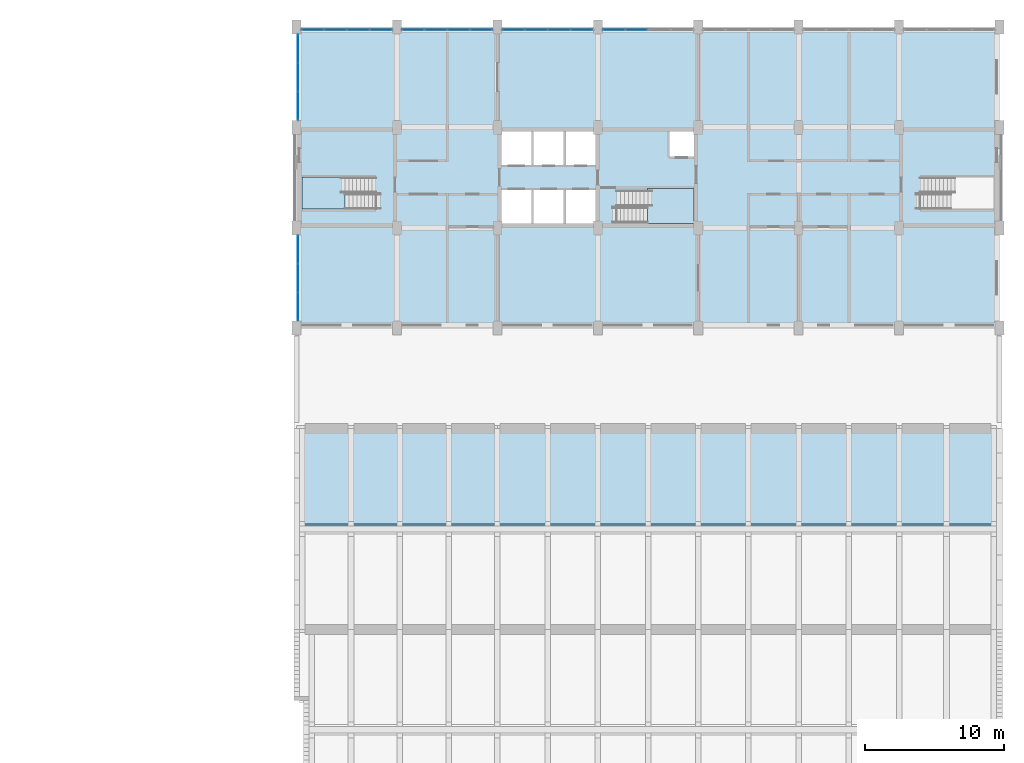
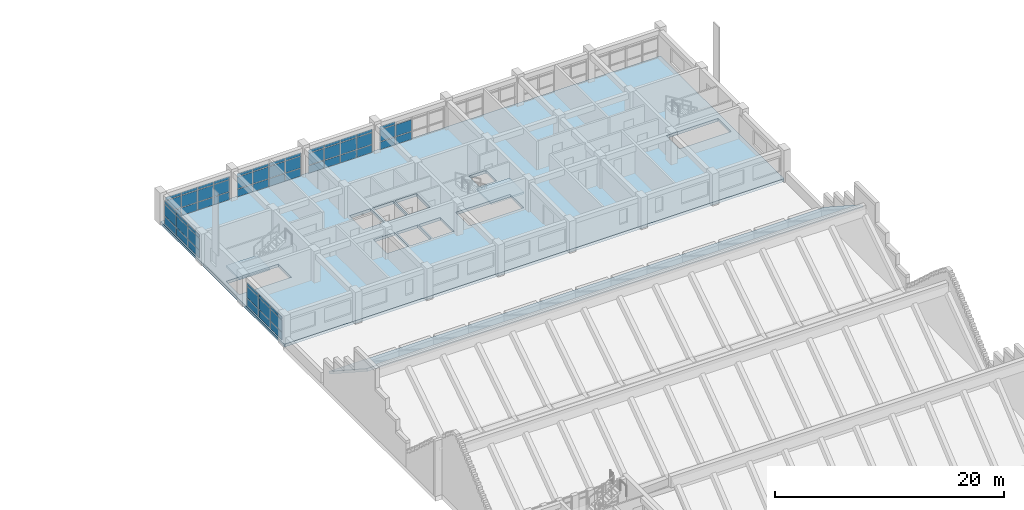
# One storey, part 20 of 31: 59 plates, 4 slabs, 8 elements without a shape of their own.
"""IFC4 building model written with IfcOpenShell, lengths in metres."""

from ifc_helpers import new_model, si_unit, direction, frame, origin, origin_2d, place, context, subcontext, project, spatial, polyline, rectangle, outline, extrude, material, layer, layer_set, type_object, element, aggregate, save


model = new_model("IFC4")

# Units and contexts
model_context = context("Model", 3, precision=1e-05, world=origin(), true_north=direction((0.0, 1.0)))
body_context = subcontext(model_context, "Body", "Model", "MODEL_VIEW")
ifc_project = project(units=[si_unit("LENGTHUNIT", "METRE"), si_unit("AREAUNIT", "SQUARE_METRE"), si_unit("VOLUMEUNIT", "CUBIC_METRE"), si_unit("PLANEANGLEUNIT", "RADIAN"), si_unit("MASSUNIT", "GRAM", prefix="KILO")], contexts=[model_context])

# Site, building, storey
site_placement = place(None, origin())
site = spatial("IfcSite", under=ifc_project, at=site_placement, CompositionType="ELEMENT")
building_placement = place(site_placement, origin())
building = spatial("IfcBuilding", under=site, at=building_placement, Name="Vermilion Court Aquatics Centre", CompositionType="ELEMENT")
storey_placement = place(building_placement, frame((0.0, 0.0, 16.5)))
storey = spatial("IfcBuildingStorey", under=building, at=storey_placement, Name="L03", CompositionType="ELEMENT", Elevation=16.5)

# Curtain wall, plates
ifc_material_1 = material(Name="Aluminium 6063-T5", Category="aluminium")
curtain_wall_type = type_object("IfcCurtainWallType", Name="North block glazed bay curtain wall 1800 module", PredefinedType="NOTDEFINED", material=ifc_material_1)
curtain_wall_1_placement = place(storey_placement, origin())
curtain_wall_1 = element("IfcCurtainWall", 1, at=curtain_wall_1_placement, inside=storey, type_object=curtain_wall_type, Name="North glazed bay 1 L03", PredefinedType="NOTDEFINED")
ifc_material_2 = material(Name="Glazing", Category="glass")
ifc_layer_1 = layer(ifc_material_2, 0.028076171875)
ifc_layer_set_1 = layer_set([ifc_layer_1], Name="North block curtain wall glazing panel 28")
plate_type = type_object("IfcPlateType", Name="North block curtain wall glazing panel 28", PredefinedType="CURTAIN_PANEL", material=ifc_layer_set_1)
plate_1_placement = place(storey_placement, frame((145.15869140625, 115.0, 0.06005859375), z_axis=(0.0, 0.0, 1.0), x_axis=(1.0, 0.0, 0.0)))
plate_1 = element("IfcPlate", 2, at=plate_1_placement, type_object=plate_type, Name="UCW1 panel 1.1", PredefinedType="CURTAIN_PANEL", context=body_context, shape_type="SweptSolid", body=[
    extrude(rectangle(XDim=1.547607421875, YDim=0.028076171875, at=origin_2d()), origin(), (0.0, 0.0, 1.0), 0.81005859375),
])
plate_2_placement = place(storey_placement, frame((145.15869140625, 115.0, 0.93017578125), z_axis=(0.0, 0.0, 1.0), x_axis=(1.0, 0.0, 0.0)))
plate_2 = element("IfcPlate", 3, at=plate_2_placement, type_object=plate_type, Name="UCW1 panel 1.2", PredefinedType="CURTAIN_PANEL", context=body_context, shape_type="SweptSolid", body=[
    extrude(rectangle(XDim=1.547607421875, YDim=0.028076171875, at=origin_2d()), origin(), (0.0, 0.0, 1.0), 1.239990234375),
])
plate_3_placement = place(storey_placement, frame((145.15869140625, 115.0, 2.22998046875), z_axis=(0.0, 0.0, 1.0), x_axis=(1.0, 0.0, 0.0)))
plate_3 = element("IfcPlate", 4, at=plate_3_placement, type_object=plate_type, Name="UCW1 panel 1.3", PredefinedType="CURTAIN_PANEL", context=body_context, shape_type="SweptSolid", body=[
    extrude(rectangle(XDim=1.547607421875, YDim=0.028076171875, at=origin_2d()), origin(), (0.0, 0.0, 1.0), 0.31005859375),
])
plate_4_placement = place(storey_placement, frame((146.78125, 115.0, 0.06005859375), z_axis=(0.0, 0.0, 1.0), x_axis=(1.0, 0.0, 0.0)))
plate_4 = element("IfcPlate", 5, at=plate_4_placement, type_object=plate_type, Name="UCW1 panel 2.1", PredefinedType="CURTAIN_PANEL", context=body_context, shape_type="SweptSolid", body=[
    extrude(rectangle(XDim=1.577392578125, YDim=0.028076171875, at=origin_2d()), origin(), (0.0, 0.0, 1.0), 0.81005859375),
])
plate_5_placement = place(storey_placement, frame((146.78125, 115.0, 0.93017578125), z_axis=(0.0, 0.0, 1.0), x_axis=(1.0, 0.0, 0.0)))
plate_5 = element("IfcPlate", 6, at=plate_5_placement, type_object=plate_type, Name="UCW1 panel 2.2", PredefinedType="CURTAIN_PANEL", context=body_context, shape_type="SweptSolid", body=[
    extrude(rectangle(XDim=1.577392578125, YDim=0.028076171875, at=origin_2d()), origin(), (0.0, 0.0, 1.0), 1.239990234375),
])
plate_6_placement = place(storey_placement, frame((146.78125, 115.0, 2.22998046875), z_axis=(0.0, 0.0, 1.0), x_axis=(1.0, 0.0, 0.0)))
plate_6 = element("IfcPlate", 7, at=plate_6_placement, type_object=plate_type, Name="UCW1 panel 2.3", PredefinedType="CURTAIN_PANEL", context=body_context, shape_type="SweptSolid", body=[
    extrude(rectangle(XDim=1.577392578125, YDim=0.028076171875, at=origin_2d()), origin(), (0.0, 0.0, 1.0), 0.31005859375),
])
plate_7_placement = place(storey_placement, frame((148.418701171875, 115.0, 0.06005859375), z_axis=(0.0, 0.0, 1.0), x_axis=(1.0, 0.0, 0.0)))
plate_7 = element("IfcPlate", 8, at=plate_7_placement, type_object=plate_type, Name="UCW1 panel 3.1", PredefinedType="CURTAIN_PANEL", context=body_context, shape_type="SweptSolid", body=[
    extrude(rectangle(XDim=1.577392578125, YDim=0.028076171875, at=origin_2d()), origin(), (0.0, 0.0, 1.0), 0.81005859375),
])
plate_8_placement = place(storey_placement, frame((148.418701171875, 115.0, 0.93017578125), z_axis=(0.0, 0.0, 1.0), x_axis=(1.0, 0.0, 0.0)))
plate_8 = element("IfcPlate", 9, at=plate_8_placement, type_object=plate_type, Name="UCW1 panel 3.2", PredefinedType="CURTAIN_PANEL", context=body_context, shape_type="SweptSolid", body=[
    extrude(rectangle(XDim=1.577392578125, YDim=0.028076171875, at=origin_2d()), origin(), (0.0, 0.0, 1.0), 1.239990234375),
])
plate_9_placement = place(storey_placement, frame((148.418701171875, 115.0, 2.22998046875), z_axis=(0.0, 0.0, 1.0), x_axis=(1.0, 0.0, 0.0)))
plate_9 = element("IfcPlate", 10, at=plate_9_placement, type_object=plate_type, Name="UCW1 panel 3.3", PredefinedType="CURTAIN_PANEL", context=body_context, shape_type="SweptSolid", body=[
    extrude(rectangle(XDim=1.577392578125, YDim=0.028076171875, at=origin_2d()), origin(), (0.0, 0.0, 1.0), 0.31005859375),
])
plate_10_placement = place(storey_placement, frame((150.041259765625, 115.0, 0.06005859375), z_axis=(0.0, 0.0, 1.0), x_axis=(1.0, 0.0, 0.0)))
plate_10 = element("IfcPlate", 11, at=plate_10_placement, type_object=plate_type, Name="UCW1 panel 4.1", PredefinedType="CURTAIN_PANEL", context=body_context, shape_type="SweptSolid", body=[
    extrude(rectangle(XDim=1.547607421875, YDim=0.028076171875, at=origin_2d()), origin(), (0.0, 0.0, 1.0), 0.81005859375),
])
plate_11_placement = place(storey_placement, frame((150.041259765625, 115.0, 0.93017578125), z_axis=(0.0, 0.0, 1.0), x_axis=(1.0, 0.0, 0.0)))
plate_11 = element("IfcPlate", 12, at=plate_11_placement, type_object=plate_type, Name="UCW1 panel 4.2", PredefinedType="CURTAIN_PANEL", context=body_context, shape_type="SweptSolid", body=[
    extrude(rectangle(XDim=1.547607421875, YDim=0.028076171875, at=origin_2d()), origin(), (0.0, 0.0, 1.0), 1.239990234375),
])
plate_12_placement = place(storey_placement, frame((150.041259765625, 115.0, 2.22998046875), z_axis=(0.0, 0.0, 1.0), x_axis=(1.0, 0.0, 0.0)))
plate_12 = element("IfcPlate", 13, at=plate_12_placement, type_object=plate_type, Name="UCW1 panel 4.3", PredefinedType="CURTAIN_PANEL", context=body_context, shape_type="SweptSolid", body=[
    extrude(rectangle(XDim=1.547607421875, YDim=0.028076171875, at=origin_2d()), origin(), (0.0, 0.0, 1.0), 0.31005859375),
])
aggregate(curtain_wall_1, [plate_1, plate_2, plate_3, plate_4, plate_5, plate_6, plate_7, plate_8, plate_9, plate_10, plate_11, plate_12])

curtain_wall_2_placement = place(storey_placement, origin())
curtain_wall_2 = element("IfcCurtainWall", 14, at=curtain_wall_2_placement, inside=storey, type_object=curtain_wall_type, Name="North glazed bay 2 L03", PredefinedType="NOTDEFINED")
plate_13_placement = place(storey_placement, frame((152.358642578125, 115.0, 0.06005859375), z_axis=(0.0, 0.0, 1.0), x_axis=(1.0, 0.0, 0.0)))
plate_13 = element("IfcPlate", 15, at=plate_13_placement, type_object=plate_type, Name="UCW1 panel 1.1", PredefinedType="CURTAIN_PANEL", context=body_context, shape_type="SweptSolid", body=[
    extrude(rectangle(XDim=1.547607421875, YDim=0.028076171875, at=origin_2d()), origin(), (0.0, 0.0, 1.0), 0.81005859375),
])
plate_14_placement = place(storey_placement, frame((152.358642578125, 115.0, 0.93017578125), z_axis=(0.0, 0.0, 1.0), x_axis=(1.0, 0.0, 0.0)))
plate_14 = element("IfcPlate", 16, at=plate_14_placement, type_object=plate_type, Name="UCW1 panel 1.2", PredefinedType="CURTAIN_PANEL", context=body_context, shape_type="SweptSolid", body=[
    extrude(rectangle(XDim=1.547607421875, YDim=0.028076171875, at=origin_2d()), origin(), (0.0, 0.0, 1.0), 1.239990234375),
])
plate_15_placement = place(storey_placement, frame((152.358642578125, 115.0, 2.22998046875), z_axis=(0.0, 0.0, 1.0), x_axis=(1.0, 0.0, 0.0)))
plate_15 = element("IfcPlate", 17, at=plate_15_placement, type_object=plate_type, Name="UCW1 panel 1.3", PredefinedType="CURTAIN_PANEL", context=body_context, shape_type="SweptSolid", body=[
    extrude(rectangle(XDim=1.547607421875, YDim=0.028076171875, at=origin_2d()), origin(), (0.0, 0.0, 1.0), 0.31005859375),
])
plate_16_placement = place(storey_placement, frame((153.981201171875, 115.0, 0.06005859375), z_axis=(0.0, 0.0, 1.0), x_axis=(1.0, 0.0, 0.0)))
plate_16 = element("IfcPlate", 18, at=plate_16_placement, type_object=plate_type, Name="UCW1 panel 2.1", PredefinedType="CURTAIN_PANEL", context=body_context, shape_type="SweptSolid", body=[
    extrude(rectangle(XDim=1.577392578125, YDim=0.028076171875, at=origin_2d()), origin(), (0.0, 0.0, 1.0), 0.81005859375),
])
plate_17_placement = place(storey_placement, frame((153.981201171875, 115.0, 0.93017578125), z_axis=(0.0, 0.0, 1.0), x_axis=(1.0, 0.0, 0.0)))
plate_17 = element("IfcPlate", 19, at=plate_17_placement, type_object=plate_type, Name="UCW1 panel 2.2", PredefinedType="CURTAIN_PANEL", context=body_context, shape_type="SweptSolid", body=[
    extrude(rectangle(XDim=1.577392578125, YDim=0.028076171875, at=origin_2d()), origin(), (0.0, 0.0, 1.0), 1.239990234375),
])
plate_18_placement = place(storey_placement, frame((153.981201171875, 115.0, 2.22998046875), z_axis=(0.0, 0.0, 1.0), x_axis=(1.0, 0.0, 0.0)))
plate_18 = element("IfcPlate", 20, at=plate_18_placement, type_object=plate_type, Name="UCW1 panel 2.3", PredefinedType="CURTAIN_PANEL", context=body_context, shape_type="SweptSolid", body=[
    extrude(rectangle(XDim=1.577392578125, YDim=0.028076171875, at=origin_2d()), origin(), (0.0, 0.0, 1.0), 0.31005859375),
])
plate_19_placement = place(storey_placement, frame((155.61865234375, 115.0, 0.06005859375), z_axis=(0.0, 0.0, 1.0), x_axis=(1.0, 0.0, 0.0)))
plate_19 = element("IfcPlate", 21, at=plate_19_placement, type_object=plate_type, Name="UCW1 panel 3.1", PredefinedType="CURTAIN_PANEL", context=body_context, shape_type="SweptSolid", body=[
    extrude(rectangle(XDim=1.577392578125, YDim=0.028076171875, at=origin_2d()), origin(), (0.0, 0.0, 1.0), 0.81005859375),
])
plate_20_placement = place(storey_placement, frame((155.61865234375, 115.0, 0.93017578125), z_axis=(0.0, 0.0, 1.0), x_axis=(1.0, 0.0, 0.0)))
plate_20 = element("IfcPlate", 22, at=plate_20_placement, type_object=plate_type, Name="UCW1 panel 3.2", PredefinedType="CURTAIN_PANEL", context=body_context, shape_type="SweptSolid", body=[
    extrude(rectangle(XDim=1.577392578125, YDim=0.028076171875, at=origin_2d()), origin(), (0.0, 0.0, 1.0), 1.239990234375),
])
plate_21_placement = place(storey_placement, frame((155.61865234375, 115.0, 2.22998046875), z_axis=(0.0, 0.0, 1.0), x_axis=(1.0, 0.0, 0.0)))
plate_21 = element("IfcPlate", 23, at=plate_21_placement, type_object=plate_type, Name="UCW1 panel 3.3", PredefinedType="CURTAIN_PANEL", context=body_context, shape_type="SweptSolid", body=[
    extrude(rectangle(XDim=1.577392578125, YDim=0.028076171875, at=origin_2d()), origin(), (0.0, 0.0, 1.0), 0.31005859375),
])
plate_22_placement = place(storey_placement, frame((157.2412109375, 115.0, 0.06005859375), z_axis=(0.0, 0.0, 1.0), x_axis=(1.0, 0.0, 0.0)))
plate_22 = element("IfcPlate", 24, at=plate_22_placement, type_object=plate_type, Name="UCW1 panel 4.1", PredefinedType="CURTAIN_PANEL", context=body_context, shape_type="SweptSolid", body=[
    extrude(rectangle(XDim=1.547607421875, YDim=0.028076171875, at=origin_2d()), origin(), (0.0, 0.0, 1.0), 0.81005859375),
])
plate_23_placement = place(storey_placement, frame((157.2412109375, 115.0, 0.93017578125), z_axis=(0.0, 0.0, 1.0), x_axis=(1.0, 0.0, 0.0)))
plate_23 = element("IfcPlate", 25, at=plate_23_placement, type_object=plate_type, Name="UCW1 panel 4.2", PredefinedType="CURTAIN_PANEL", context=body_context, shape_type="SweptSolid", body=[
    extrude(rectangle(XDim=1.547607421875, YDim=0.028076171875, at=origin_2d()), origin(), (0.0, 0.0, 1.0), 1.239990234375),
])
plate_24_placement = place(storey_placement, frame((157.2412109375, 115.0, 2.22998046875), z_axis=(0.0, 0.0, 1.0), x_axis=(1.0, 0.0, 0.0)))
plate_24 = element("IfcPlate", 26, at=plate_24_placement, type_object=plate_type, Name="UCW1 panel 4.3", PredefinedType="CURTAIN_PANEL", context=body_context, shape_type="SweptSolid", body=[
    extrude(rectangle(XDim=1.547607421875, YDim=0.028076171875, at=origin_2d()), origin(), (0.0, 0.0, 1.0), 0.31005859375),
])
aggregate(curtain_wall_2, [plate_13, plate_14, plate_15, plate_16, plate_17, plate_18, plate_19, plate_20, plate_21, plate_22, plate_23, plate_24])

curtain_wall_3_placement = place(storey_placement, origin())
curtain_wall_3 = element("IfcCurtainWall", 27, at=curtain_wall_3_placement, inside=storey, type_object=curtain_wall_type, Name="North glazed bay 3 L03", PredefinedType="NOTDEFINED")
plate_25_placement = place(storey_placement, frame((159.558837890625, 115.0, 0.06005859375), z_axis=(0.0, 0.0, 1.0), x_axis=(1.0, 0.0, 0.0)))
plate_25 = element("IfcPlate", 28, at=plate_25_placement, type_object=plate_type, Name="UCW1 panel 1.1", PredefinedType="CURTAIN_PANEL", context=body_context, shape_type="SweptSolid", body=[
    extrude(rectangle(XDim=1.547607421875, YDim=0.028076171875, at=origin_2d()), origin(), (0.0, 0.0, 1.0), 0.81005859375),
])
plate_26_placement = place(storey_placement, frame((159.558837890625, 115.0, 0.93017578125), z_axis=(0.0, 0.0, 1.0), x_axis=(1.0, 0.0, 0.0)))
plate_26 = element("IfcPlate", 29, at=plate_26_placement, type_object=plate_type, Name="UCW1 panel 1.2", PredefinedType="CURTAIN_PANEL", context=body_context, shape_type="SweptSolid", body=[
    extrude(rectangle(XDim=1.547607421875, YDim=0.028076171875, at=origin_2d()), origin(), (0.0, 0.0, 1.0), 1.239990234375),
])
plate_27_placement = place(storey_placement, frame((159.558837890625, 115.0, 2.22998046875), z_axis=(0.0, 0.0, 1.0), x_axis=(1.0, 0.0, 0.0)))
plate_27 = element("IfcPlate", 30, at=plate_27_placement, type_object=plate_type, Name="UCW1 panel 1.3", PredefinedType="CURTAIN_PANEL", context=body_context, shape_type="SweptSolid", body=[
    extrude(rectangle(XDim=1.547607421875, YDim=0.028076171875, at=origin_2d()), origin(), (0.0, 0.0, 1.0), 0.31005859375),
])
plate_28_placement = place(storey_placement, frame((161.18115234375, 115.0, 0.06005859375), z_axis=(0.0, 0.0, 1.0), x_axis=(1.0, 0.0, 0.0)))
plate_28 = element("IfcPlate", 31, at=plate_28_placement, type_object=plate_type, Name="UCW1 panel 2.1", PredefinedType="CURTAIN_PANEL", context=body_context, shape_type="SweptSolid", body=[
    extrude(rectangle(XDim=1.577392578125, YDim=0.028076171875, at=origin_2d()), origin(), (0.0, 0.0, 1.0), 0.81005859375),
])
plate_29_placement = place(storey_placement, frame((161.18115234375, 115.0, 0.93017578125), z_axis=(0.0, 0.0, 1.0), x_axis=(1.0, 0.0, 0.0)))
plate_29 = element("IfcPlate", 32, at=plate_29_placement, type_object=plate_type, Name="UCW1 panel 2.2", PredefinedType="CURTAIN_PANEL", context=body_context, shape_type="SweptSolid", body=[
    extrude(rectangle(XDim=1.577392578125, YDim=0.028076171875, at=origin_2d()), origin(), (0.0, 0.0, 1.0), 1.239990234375),
])
plate_30_placement = place(storey_placement, frame((161.18115234375, 115.0, 2.22998046875), z_axis=(0.0, 0.0, 1.0), x_axis=(1.0, 0.0, 0.0)))
plate_30 = element("IfcPlate", 33, at=plate_30_placement, type_object=plate_type, Name="UCW1 panel 2.3", PredefinedType="CURTAIN_PANEL", context=body_context, shape_type="SweptSolid", body=[
    extrude(rectangle(XDim=1.577392578125, YDim=0.028076171875, at=origin_2d()), origin(), (0.0, 0.0, 1.0), 0.31005859375),
])
plate_31_placement = place(storey_placement, frame((162.81884765625, 115.0, 0.06005859375), z_axis=(0.0, 0.0, 1.0), x_axis=(1.0, 0.0, 0.0)))
plate_31 = element("IfcPlate", 34, at=plate_31_placement, type_object=plate_type, Name="UCW1 panel 3.1", PredefinedType="CURTAIN_PANEL", context=body_context, shape_type="SweptSolid", body=[
    extrude(rectangle(XDim=1.577392578125, YDim=0.028076171875, at=origin_2d()), origin(), (0.0, 0.0, 1.0), 0.81005859375),
])
plate_32_placement = place(storey_placement, frame((162.81884765625, 115.0, 0.93017578125), z_axis=(0.0, 0.0, 1.0), x_axis=(1.0, 0.0, 0.0)))
plate_32 = element("IfcPlate", 35, at=plate_32_placement, type_object=plate_type, Name="UCW1 panel 3.2", PredefinedType="CURTAIN_PANEL", context=body_context, shape_type="SweptSolid", body=[
    extrude(rectangle(XDim=1.577392578125, YDim=0.028076171875, at=origin_2d()), origin(), (0.0, 0.0, 1.0), 1.239990234375),
])
plate_33_placement = place(storey_placement, frame((162.81884765625, 115.0, 2.22998046875), z_axis=(0.0, 0.0, 1.0), x_axis=(1.0, 0.0, 0.0)))
plate_33 = element("IfcPlate", 36, at=plate_33_placement, type_object=plate_type, Name="UCW1 panel 3.3", PredefinedType="CURTAIN_PANEL", context=body_context, shape_type="SweptSolid", body=[
    extrude(rectangle(XDim=1.577392578125, YDim=0.028076171875, at=origin_2d()), origin(), (0.0, 0.0, 1.0), 0.31005859375),
])
plate_34_placement = place(storey_placement, frame((164.441162109375, 115.0, 0.06005859375), z_axis=(0.0, 0.0, 1.0), x_axis=(1.0, 0.0, 0.0)))
plate_34 = element("IfcPlate", 37, at=plate_34_placement, type_object=plate_type, Name="UCW1 panel 4.1", PredefinedType="CURTAIN_PANEL", context=body_context, shape_type="SweptSolid", body=[
    extrude(rectangle(XDim=1.547607421875, YDim=0.028076171875, at=origin_2d()), origin(), (0.0, 0.0, 1.0), 0.81005859375),
])
plate_35_placement = place(storey_placement, frame((164.441162109375, 115.0, 0.93017578125), z_axis=(0.0, 0.0, 1.0), x_axis=(1.0, 0.0, 0.0)))
plate_35 = element("IfcPlate", 38, at=plate_35_placement, type_object=plate_type, Name="UCW1 panel 4.2", PredefinedType="CURTAIN_PANEL", context=body_context, shape_type="SweptSolid", body=[
    extrude(rectangle(XDim=1.547607421875, YDim=0.028076171875, at=origin_2d()), origin(), (0.0, 0.0, 1.0), 1.239990234375),
])
plate_36_placement = place(storey_placement, frame((164.441162109375, 115.0, 2.22998046875), z_axis=(0.0, 0.0, 1.0), x_axis=(1.0, 0.0, 0.0)))
plate_36 = element("IfcPlate", 39, at=plate_36_placement, type_object=plate_type, Name="UCW1 panel 4.3", PredefinedType="CURTAIN_PANEL", context=body_context, shape_type="SweptSolid", body=[
    extrude(rectangle(XDim=1.547607421875, YDim=0.028076171875, at=origin_2d()), origin(), (0.0, 0.0, 1.0), 0.31005859375),
])
aggregate(curtain_wall_3, [plate_25, plate_26, plate_27, plate_28, plate_29, plate_30, plate_31, plate_32, plate_33, plate_34, plate_35, plate_36])

curtain_wall_4_placement = place(storey_placement, origin())
curtain_wall_4 = element("IfcCurtainWall", 40, at=curtain_wall_4_placement, inside=storey, type_object=curtain_wall_type, Name="North glazed bay 4 L03", PredefinedType="NOTDEFINED")
plate_37_placement = place(storey_placement, frame((166.7587890625, 115.0, 0.06005859375), z_axis=(0.0, 0.0, 1.0), x_axis=(1.0, 0.0, 0.0)))
plate_37 = element("IfcPlate", 41, at=plate_37_placement, type_object=plate_type, Name="UCW1 panel 1.1", PredefinedType="CURTAIN_PANEL", context=body_context, shape_type="SweptSolid", body=[
    extrude(rectangle(XDim=1.547607421875, YDim=0.028076171875, at=origin_2d()), origin(), (0.0, 0.0, 1.0), 0.81005859375),
])
plate_38_placement = place(storey_placement, frame((166.7587890625, 115.0, 0.93017578125), z_axis=(0.0, 0.0, 1.0), x_axis=(1.0, 0.0, 0.0)))
plate_38 = element("IfcPlate", 42, at=plate_38_placement, type_object=plate_type, Name="UCW1 panel 1.2", PredefinedType="CURTAIN_PANEL", context=body_context, shape_type="SweptSolid", body=[
    extrude(rectangle(XDim=1.547607421875, YDim=0.028076171875, at=origin_2d()), origin(), (0.0, 0.0, 1.0), 1.239990234375),
])
plate_39_placement = place(storey_placement, frame((166.7587890625, 115.0, 2.22998046875), z_axis=(0.0, 0.0, 1.0), x_axis=(1.0, 0.0, 0.0)))
plate_39 = element("IfcPlate", 43, at=plate_39_placement, type_object=plate_type, Name="UCW1 panel 1.3", PredefinedType="CURTAIN_PANEL", context=body_context, shape_type="SweptSolid", body=[
    extrude(rectangle(XDim=1.547607421875, YDim=0.028076171875, at=origin_2d()), origin(), (0.0, 0.0, 1.0), 0.31005859375),
])
plate_40_placement = place(storey_placement, frame((168.38134765625, 115.0, 0.06005859375), z_axis=(0.0, 0.0, 1.0), x_axis=(1.0, 0.0, 0.0)))
plate_40 = element("IfcPlate", 44, at=plate_40_placement, type_object=plate_type, Name="UCW1 panel 2.1", PredefinedType="CURTAIN_PANEL", context=body_context, shape_type="SweptSolid", body=[
    extrude(rectangle(XDim=1.577392578125, YDim=0.028076171875, at=origin_2d()), origin(), (0.0, 0.0, 1.0), 0.81005859375),
])
plate_41_placement = place(storey_placement, frame((168.38134765625, 115.0, 0.93017578125), z_axis=(0.0, 0.0, 1.0), x_axis=(1.0, 0.0, 0.0)))
plate_41 = element("IfcPlate", 45, at=plate_41_placement, type_object=plate_type, Name="UCW1 panel 2.2", PredefinedType="CURTAIN_PANEL", context=body_context, shape_type="SweptSolid", body=[
    extrude(rectangle(XDim=1.577392578125, YDim=0.028076171875, at=origin_2d()), origin(), (0.0, 0.0, 1.0), 1.239990234375),
])
aggregate(curtain_wall_4, [plate_37, plate_38, plate_39, plate_40, plate_41])

curtain_wall_5_placement = place(storey_placement, origin())
curtain_wall_5 = element("IfcCurtainWall", 46, at=curtain_wall_5_placement, inside=storey, type_object=curtain_wall_type, Name="West glazed bay 1 L03", PredefinedType="NOTDEFINED")
plate_42_placement = place(storey_placement, frame((144.10009765625, 95.1484375, 0.06005859375), z_axis=(0.0, 0.0, 1.0), x_axis=(0.0, 1.0, 0.0)))
plate_42 = element("IfcPlate", 47, at=plate_42_placement, type_object=plate_type, Name="UCW1 panel 1.1", PredefinedType="CURTAIN_PANEL", context=body_context, shape_type="SweptSolid", body=[
    extrude(rectangle(XDim=1.9765625, YDim=0.028076171875, at=origin_2d()), origin(), (0.0, 0.0, 1.0), 0.81005859375),
])
plate_43_placement = place(storey_placement, frame((144.10009765625, 95.1484375, 0.93017578125), z_axis=(0.0, 0.0, 1.0), x_axis=(0.0, 1.0, 0.0)))
plate_43 = element("IfcPlate", 48, at=plate_43_placement, type_object=plate_type, Name="UCW1 panel 1.2", PredefinedType="CURTAIN_PANEL", context=body_context, shape_type="SweptSolid", body=[
    extrude(rectangle(XDim=1.9765625, YDim=0.028076171875, at=origin_2d()), origin(), (0.0, 0.0, 1.0), 1.239990234375),
])
plate_44_placement = place(storey_placement, frame((144.10009765625, 95.1484375, 2.22998046875), z_axis=(0.0, 0.0, 1.0), x_axis=(0.0, 1.0, 0.0)))
plate_44 = element("IfcPlate", 49, at=plate_44_placement, type_object=plate_type, Name="UCW1 panel 1.3", PredefinedType="CURTAIN_PANEL", context=body_context, shape_type="SweptSolid", body=[
    extrude(rectangle(XDim=1.9765625, YDim=0.028076171875, at=origin_2d()), origin(), (0.0, 0.0, 1.0), 0.31005859375),
])
plate_45_placement = place(storey_placement, frame((144.10009765625, 97.199951171875, 0.06005859375), z_axis=(0.0, 0.0, 1.0), x_axis=(0.0, 1.0, 0.0)))
plate_45 = element("IfcPlate", 50, at=plate_45_placement, type_object=plate_type, Name="UCW1 panel 2.1", PredefinedType="CURTAIN_PANEL", context=body_context, shape_type="SweptSolid", body=[
    extrude(rectangle(XDim=2.006591796875, YDim=0.028076171875, at=origin_2d()), origin(), (0.0, 0.0, 1.0), 0.81005859375),
])
plate_46_placement = place(storey_placement, frame((144.10009765625, 97.199951171875, 0.93017578125), z_axis=(0.0, 0.0, 1.0), x_axis=(0.0, 1.0, 0.0)))
plate_46 = element("IfcPlate", 51, at=plate_46_placement, type_object=plate_type, Name="UCW1 panel 2.2", PredefinedType="CURTAIN_PANEL", context=body_context, shape_type="SweptSolid", body=[
    extrude(rectangle(XDim=2.006591796875, YDim=0.028076171875, at=origin_2d()), origin(), (0.0, 0.0, 1.0), 1.239990234375),
])
plate_47_placement = place(storey_placement, frame((144.10009765625, 97.199951171875, 2.22998046875), z_axis=(0.0, 0.0, 1.0), x_axis=(0.0, 1.0, 0.0)))
plate_47 = element("IfcPlate", 52, at=plate_47_placement, type_object=plate_type, Name="UCW1 panel 2.3", PredefinedType="CURTAIN_PANEL", context=body_context, shape_type="SweptSolid", body=[
    extrude(rectangle(XDim=2.006591796875, YDim=0.028076171875, at=origin_2d()), origin(), (0.0, 0.0, 1.0), 0.31005859375),
])
plate_48_placement = place(storey_placement, frame((144.10009765625, 99.251708984375, 0.06005859375), z_axis=(0.0, 0.0, 1.0), x_axis=(0.0, 1.0, 0.0)))
plate_48 = element("IfcPlate", 53, at=plate_48_placement, type_object=plate_type, Name="UCW1 panel 3.1", PredefinedType="CURTAIN_PANEL", context=body_context, shape_type="SweptSolid", body=[
    extrude(rectangle(XDim=1.9765625, YDim=0.028076171875, at=origin_2d()), origin(), (0.0, 0.0, 1.0), 0.81005859375),
])
plate_49_placement = place(storey_placement, frame((144.10009765625, 99.251708984375, 0.93017578125), z_axis=(0.0, 0.0, 1.0), x_axis=(0.0, 1.0, 0.0)))
plate_49 = element("IfcPlate", 54, at=plate_49_placement, type_object=plate_type, Name="UCW1 panel 3.2", PredefinedType="CURTAIN_PANEL", context=body_context, shape_type="SweptSolid", body=[
    extrude(rectangle(XDim=1.9765625, YDim=0.028076171875, at=origin_2d()), origin(), (0.0, 0.0, 1.0), 1.239990234375),
])
plate_50_placement = place(storey_placement, frame((144.10009765625, 99.251708984375, 2.22998046875), z_axis=(0.0, 0.0, 1.0), x_axis=(0.0, 1.0, 0.0)))
plate_50 = element("IfcPlate", 55, at=plate_50_placement, type_object=plate_type, Name="UCW1 panel 3.3", PredefinedType="CURTAIN_PANEL", context=body_context, shape_type="SweptSolid", body=[
    extrude(rectangle(XDim=1.9765625, YDim=0.028076171875, at=origin_2d()), origin(), (0.0, 0.0, 1.0), 0.31005859375),
])
aggregate(curtain_wall_5, [plate_42, plate_43, plate_44, plate_45, plate_46, plate_47, plate_48, plate_49, plate_50])

curtain_wall_6_placement = place(storey_placement, origin())
curtain_wall_6 = element("IfcCurtainWall", 56, at=curtain_wall_6_placement, inside=storey, type_object=curtain_wall_type, Name="West glazed bay 2 L03", PredefinedType="NOTDEFINED")
plate_51_placement = place(storey_placement, frame((144.10009765625, 109.54833984375, 0.06005859375), z_axis=(0.0, 0.0, 1.0), x_axis=(0.0, 1.0, 0.0)))
plate_51 = element("IfcPlate", 57, at=plate_51_placement, type_object=plate_type, Name="UCW1 panel 1.1", PredefinedType="CURTAIN_PANEL", context=body_context, shape_type="SweptSolid", body=[
    extrude(rectangle(XDim=1.9765625, YDim=0.028076171875, at=origin_2d()), origin(), (0.0, 0.0, 1.0), 0.81005859375),
])
plate_52_placement = place(storey_placement, frame((144.10009765625, 109.54833984375, 0.93017578125), z_axis=(0.0, 0.0, 1.0), x_axis=(0.0, 1.0, 0.0)))
plate_52 = element("IfcPlate", 58, at=plate_52_placement, type_object=plate_type, Name="UCW1 panel 1.2", PredefinedType="CURTAIN_PANEL", context=body_context, shape_type="SweptSolid", body=[
    extrude(rectangle(XDim=1.9765625, YDim=0.028076171875, at=origin_2d()), origin(), (0.0, 0.0, 1.0), 1.239990234375),
])
plate_53_placement = place(storey_placement, frame((144.10009765625, 109.54833984375, 2.22998046875), z_axis=(0.0, 0.0, 1.0), x_axis=(0.0, 1.0, 0.0)))
plate_53 = element("IfcPlate", 59, at=plate_53_placement, type_object=plate_type, Name="UCW1 panel 1.3", PredefinedType="CURTAIN_PANEL", context=body_context, shape_type="SweptSolid", body=[
    extrude(rectangle(XDim=1.9765625, YDim=0.028076171875, at=origin_2d()), origin(), (0.0, 0.0, 1.0), 0.31005859375),
])
plate_54_placement = place(storey_placement, frame((144.10009765625, 111.60009765625, 0.06005859375), z_axis=(0.0, 0.0, 1.0), x_axis=(0.0, 1.0, 0.0)))
plate_54 = element("IfcPlate", 60, at=plate_54_placement, type_object=plate_type, Name="UCW1 panel 2.1", PredefinedType="CURTAIN_PANEL", context=body_context, shape_type="SweptSolid", body=[
    extrude(rectangle(XDim=2.006591796875, YDim=0.028076171875, at=origin_2d()), origin(), (0.0, 0.0, 1.0), 0.81005859375),
])
plate_55_placement = place(storey_placement, frame((144.10009765625, 111.60009765625, 0.93017578125), z_axis=(0.0, 0.0, 1.0), x_axis=(0.0, 1.0, 0.0)))
plate_55 = element("IfcPlate", 61, at=plate_55_placement, type_object=plate_type, Name="UCW1 panel 2.2", PredefinedType="CURTAIN_PANEL", context=body_context, shape_type="SweptSolid", body=[
    extrude(rectangle(XDim=2.006591796875, YDim=0.028076171875, at=origin_2d()), origin(), (0.0, 0.0, 1.0), 1.239990234375),
])
plate_56_placement = place(storey_placement, frame((144.10009765625, 111.60009765625, 2.22998046875), z_axis=(0.0, 0.0, 1.0), x_axis=(0.0, 1.0, 0.0)))
plate_56 = element("IfcPlate", 62, at=plate_56_placement, type_object=plate_type, Name="UCW1 panel 2.3", PredefinedType="CURTAIN_PANEL", context=body_context, shape_type="SweptSolid", body=[
    extrude(rectangle(XDim=2.006591796875, YDim=0.028076171875, at=origin_2d()), origin(), (0.0, 0.0, 1.0), 0.31005859375),
])
plate_57_placement = place(storey_placement, frame((144.10009765625, 113.651611328125, 0.06005859375), z_axis=(0.0, 0.0, 1.0), x_axis=(0.0, 1.0, 0.0)))
plate_57 = element("IfcPlate", 63, at=plate_57_placement, type_object=plate_type, Name="UCW1 panel 3.1", PredefinedType="CURTAIN_PANEL", context=body_context, shape_type="SweptSolid", body=[
    extrude(rectangle(XDim=1.9765625, YDim=0.028076171875, at=origin_2d()), origin(), (0.0, 0.0, 1.0), 0.81005859375),
])
plate_58_placement = place(storey_placement, frame((144.10009765625, 113.651611328125, 0.93017578125), z_axis=(0.0, 0.0, 1.0), x_axis=(0.0, 1.0, 0.0)))
plate_58 = element("IfcPlate", 64, at=plate_58_placement, type_object=plate_type, Name="UCW1 panel 3.2", PredefinedType="CURTAIN_PANEL", context=body_context, shape_type="SweptSolid", body=[
    extrude(rectangle(XDim=1.9765625, YDim=0.028076171875, at=origin_2d()), origin(), (0.0, 0.0, 1.0), 1.239990234375),
])
plate_59_placement = place(storey_placement, frame((144.10009765625, 113.651611328125, 2.22998046875), z_axis=(0.0, 0.0, 1.0), x_axis=(0.0, 1.0, 0.0)))
plate_59 = element("IfcPlate", 65, at=plate_59_placement, type_object=plate_type, Name="UCW1 panel 3.3", PredefinedType="CURTAIN_PANEL", context=body_context, shape_type="SweptSolid", body=[
    extrude(rectangle(XDim=1.9765625, YDim=0.028076171875, at=origin_2d()), origin(), (0.0, 0.0, 1.0), 0.31005859375),
])
aggregate(curtain_wall_6, [plate_51, plate_52, plate_53, plate_54, plate_55, plate_56, plate_57, plate_58, plate_59])

# Slab
ifc_material_3 = material(Name="Concrete 5000 psi", Category="concrete")
ifc_layer_2 = layer(ifc_material_3, 0.300048828125)
ifc_layer_set_2 = layer_set([ifc_layer_2], Name="North block flat plate 300")
slab_type_1 = type_object("IfcSlabType", Name="North block flat plate 300", PredefinedType="FLOOR", material=ifc_layer_set_2)
slab_1_placement = place(storey_placement, frame((0.0, 0.0, -0.300048828125)))
element("IfcSlab", 66, at=slab_1_placement, inside=storey, type_object=slab_type_1, Name="Floor slab L03", PredefinedType="FLOOR", context=body_context, shape_type="SweptSolid", body=[
    extrude(outline(polyline([(144.0, 93.60009765625), (194.39990234375, 93.60009765625), (194.39990234375, 115.199951171875), (144.0, 115.199951171875), (144.0, 93.60009765625)]), holes=[polyline([(158.699951171875, 101.10009765625), (160.85009765625, 101.10009765625), (160.85009765625, 103.5), (158.699951171875, 103.5), (158.699951171875, 101.10009765625)]), polyline([(158.699951171875, 105.300048828125), (160.85009765625, 105.300048828125), (160.85009765625, 107.699951171875), (158.699951171875, 107.699951171875), (158.699951171875, 105.300048828125)]), polyline([(161.0, 101.10009765625), (163.14990234375, 101.10009765625), (163.14990234375, 103.5), (161.0, 103.5), (161.0, 101.10009765625)]), polyline([(161.0, 105.300048828125), (163.14990234375, 105.300048828125), (163.14990234375, 107.699951171875), (161.0, 107.699951171875), (161.0, 105.300048828125)]), polyline([(163.300048828125, 101.10009765625), (165.449951171875, 101.10009765625), (165.449951171875, 103.5), (163.300048828125, 103.5), (163.300048828125, 101.10009765625)]), polyline([(163.300048828125, 105.300048828125), (165.449951171875, 105.300048828125), (165.449951171875, 107.699951171875), (163.300048828125, 107.699951171875), (163.300048828125, 105.300048828125)]), polyline([(167.0, 101.14990234375), (172.5, 101.14990234375), (172.5, 103.5), (167.0, 103.5), (167.0, 101.14990234375)]), polyline([(170.75, 105.89990234375), (172.5, 105.89990234375), (172.5, 107.699951171875), (170.75, 107.699951171875), (170.75, 105.89990234375)]), polyline([(144.39990234375, 102.1298828125), (149.64990234375, 102.1298828125), (149.64990234375, 104.429931640625), (144.39990234375, 104.429931640625), (144.39990234375, 102.1298828125)]), polyline([(188.75, 102.1298828125), (194.0, 102.1298828125), (194.0, 104.429931640625), (188.75, 104.429931640625), (188.75, 102.1298828125)])]), origin(), (0.0, 0.0, 1.0), 0.300048828125),
])

# Stair, slab
ifc_material_4 = material(Name="Concrete 5000 psi", Category="concrete")
stair_type = type_object("IfcStairType", Name="North block exit stair 1130", PredefinedType="HALF_TURN_STAIR", material=ifc_material_4)
stair_1_placement = place(storey_placement, origin())
stair_1 = element("IfcStair", 67, at=stair_1_placement, inside=storey, type_object=stair_type, Name="Exit stair ST-T1 L03", PredefinedType="HALF_TURN_STAIR")
ifc_material_5 = material(Name="Concrete 5000 psi", Category="concrete")
ifc_layer_3 = layer(ifc_material_5, 0.199951171875)
ifc_layer_set_3 = layer_set([ifc_layer_3], Name="North block stair landing 200")
slab_type_2 = type_object("IfcSlabType", Name="North block stair landing 200", PredefinedType="LANDING", material=ifc_layer_set_3)
slab_2_placement = place(storey_placement, frame((0.0, 0.0, 1.5)))
slab_2 = element("IfcSlab", 68, at=slab_2_placement, type_object=slab_type_2, Name="ST-T1 landing 1", PredefinedType="LANDING", context=body_context, shape_type="SweptSolid", body=[
    extrude(outline(polyline([(144.39990234375, 102.1298828125), (147.47998046875, 102.1298828125), (147.47998046875, 104.429931640625), (144.39990234375, 104.429931640625), (144.39990234375, 102.1298828125)])), origin(), (0.0, 0.0, 1.0), 0.199951171875),
])
aggregate(stair_1, [slab_2])

stair_2_placement = place(storey_placement, origin())
stair_2 = element("IfcStair", 69, at=stair_2_placement, inside=storey, type_object=stair_type, Name="Exit stair ST-T3 L03", PredefinedType="HALF_TURN_STAIR")
slab_3_placement = place(storey_placement, frame((0.0, 0.0, 1.5)))
slab_3 = element("IfcSlab", 70, at=slab_3_placement, type_object=slab_type_2, Name="ST-T3 landing 1", PredefinedType="LANDING", context=body_context, shape_type="SweptSolid", body=[
    extrude(outline(polyline([(169.169921875, 101.10009765625), (172.5, 101.10009765625), (172.5, 103.60009765625), (169.169921875, 103.60009765625), (169.169921875, 101.10009765625)])), origin(), (0.0, 0.0, 1.0), 0.199951171875),
])
aggregate(stair_2, [slab_3])

# Slab
ifc_material_6 = material(Name="Concrete 5000 psi", Category="concrete")
ifc_layer_4 = layer(ifc_material_6, 0.25)
ifc_layer_set_4 = layer_set([ifc_layer_4], Name="Podium terracotta-clad roof slab 250")
slab_type_3 = type_object("IfcSlabType", Name="Podium terracotta-clad roof slab 250", PredefinedType="ROOF", material=ifc_layer_set_4)
slab_4_placement = place(storey_placement, frame((144.199951171875, 86.186279296875, 1.539794921875), z_axis=(0.0, 0.544653720189, 0.838661031099), x_axis=(1.0, 0.0, 0.0)))
element("IfcSlab", 71, at=slab_4_placement, inside=storey, type_object=slab_type_3, Name="Roof slab", PredefinedType="ROOF", context=body_context, shape_type="SweptSolid", body=[
    extrude(outline(polyline([(0.0, 0.0), (50.0, 0.0), (50.0, -7.899496643261028), (0.0, -7.899496643261028), (0.0, 0.0)])), origin(), (0.0, 0.0, -1.0), 0.25),
])

save(model, "model.ifc")
